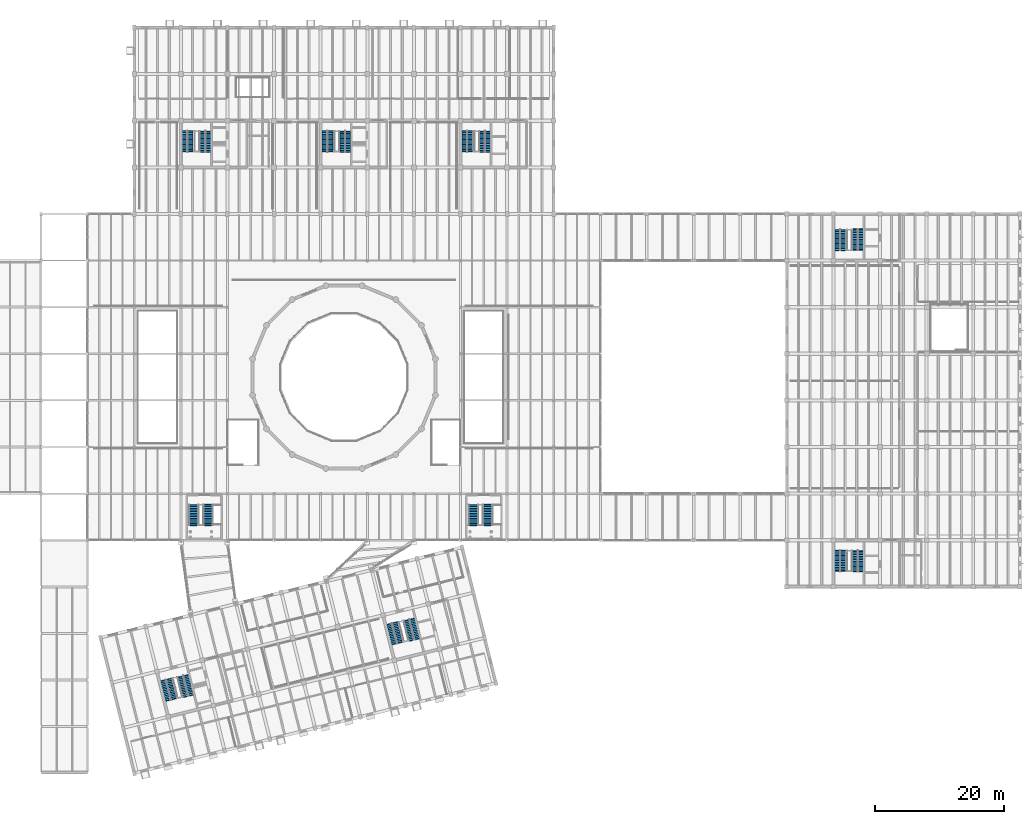
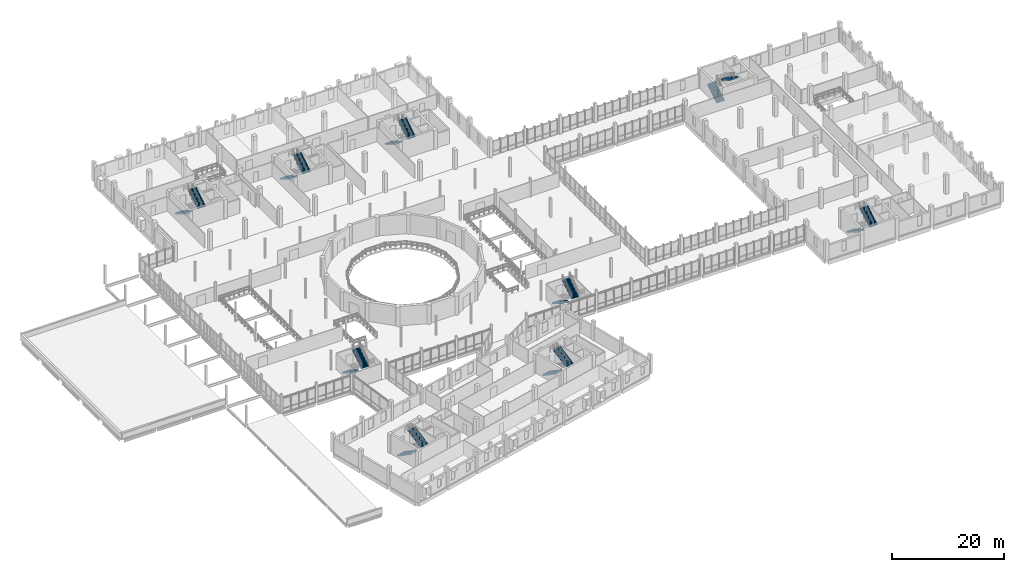
# One storey, part 66 of 72: 18 stair flights, 9 elements without a shape of their own.
"""IFC4 building model written with IfcOpenShell, lengths in metres."""

from ifc_helpers import new_model, si_unit, direction, frame, origin, place, context, subcontext, project, spatial, polyline, outline, extrude, material, type_object, element, aggregate, save


model = new_model("IFC4")

# Units and contexts
model_context = context("Model", 3, precision=1e-05, world=origin(), true_north=direction((0.0, 1.0)))
body_context = subcontext(model_context, "Body", "Model", "MODEL_VIEW")
ifc_project = project(units=[si_unit("LENGTHUNIT", "METRE"), si_unit("AREAUNIT", "SQUARE_METRE"), si_unit("VOLUMEUNIT", "CUBIC_METRE"), si_unit("PLANEANGLEUNIT", "RADIAN"), si_unit("MASSUNIT", "GRAM", prefix="KILO")], contexts=[model_context])

# Site, building, storey
site_placement = place(None, origin())
site = spatial("IfcSite", under=ifc_project, at=site_placement, CompositionType="ELEMENT")
building_placement = place(site_placement, origin())
building = spatial("IfcBuilding", under=site, at=building_placement, Name="Qiaolan Assembly House", CompositionType="ELEMENT")
storey_placement = place(building_placement, frame((0.0, 0.0, 10.199951171875)))
storey = spatial("IfcBuildingStorey", under=building, at=storey_placement, Name="L02", CompositionType="ELEMENT", Elevation=10.199951171875)

# Stair, stair flights
ifc_material = material(Name="Concrete C40/50", Category="concrete")
stair_type_1 = type_object("IfcStairType", Name="STR-FOYER-420", PredefinedType="HALF_TURN_STAIR", material=ifc_material)
stair_1_placement = place(storey_placement, origin())
stair_1 = element("IfcStair", 1, at=stair_1_placement, inside=storey, type_object=stair_type_1, Name="ST-13 Chamber Concourse Foyer Stair ST-F21", PredefinedType="HALF_TURN_STAIR")
stair_flight_type_1 = type_object("IfcStairFlightType", Name="STR-FOYER-420-FLT", PredefinedType="STRAIGHT", material=ifc_material)
stair_flight_1_placement = place(storey_placement, frame((45.199951171875, 41.449951171875, 0.0), z_axis=(0.0, 0.0, 1.0), x_axis=(0.0, -1.0, 0.0)))
stair_flight_1 = element("IfcStairFlight", 2, at=stair_flight_1_placement, type_object=stair_flight_type_1, Name="ST-13F stair flight FLT-ST-F21-1", NumberOfRisers=13, NumberOfTreads=12, PredefinedType="STRAIGHT", RiserHeight=0.161538, TreadLength=0.26, context=body_context, shape_type="SweptSolid", body=[
    extrude(outline(polyline([(-0.10009765625, -0.1201171875), (-0.10009765625, 0.0), (0.0, 0.0), (0.0, 0.16162109375), (0.260009765625, 0.16162109375), (0.260009765625, 0.322998046875), (0.52001953125, 0.322998046875), (0.52001953125, 0.484619140625), (0.780029296875, 0.484619140625), (0.780029296875, 0.646240234375), (1.0400390625, 0.646240234375), (1.0400390625, 0.8076171875), (1.300048828125, 0.8076171875), (1.300048828125, 0.96923828125), (1.56005859375, 0.96923828125), (1.56005859375, 1.130859375), (1.820068359375, 1.130859375), (1.820068359375, 1.292236328125), (2.080078125, 1.292236328125), (2.080078125, 1.453857421875), (2.340087890625, 1.453857421875), (2.340087890625, 1.615478515625), (2.60009765625, 1.615478515625), (2.60009765625, 1.77685546875), (2.860107421875, 1.77685546875), (2.860107421875, 1.9384765625), (3.1201171875, 1.9384765625), (3.1201171875, 2.10009765625), (3.240234375, 2.10009765625), (3.240234375, 1.703125), (3.1201171875, 1.703125), (0.185546875, -0.1201171875), (-0.10009765625, -0.1201171875)])), frame((0.0, 0.75, 0.0), z_axis=(0.0, -1.0, 0.0), x_axis=(1.0, 0.0, 0.0)), (0.0, 0.0, 1.0), 1.5),
])
stair_flight_2_placement = place(storey_placement, frame((47.39990234375, 38.330078125, 2.10009765625), z_axis=(0.0, 0.0, 1.0), x_axis=(0.0, 1.0, 0.0)))
stair_flight_2 = element("IfcStairFlight", 3, at=stair_flight_2_placement, type_object=stair_flight_type_1, Name="ST-13F stair flight FLT-ST-F21-2", NumberOfRisers=13, NumberOfTreads=12, PredefinedType="STRAIGHT", RiserHeight=0.161538, TreadLength=0.26, context=body_context, shape_type="SweptSolid", body=[
    extrude(outline(polyline([(-0.10009765625, -0.1201171875), (-0.10009765625, 0.0), (0.0, 0.0), (0.0, 0.16162109375), (0.260009765625, 0.16162109375), (0.260009765625, 0.322998046875), (0.52001953125, 0.322998046875), (0.52001953125, 0.484619140625), (0.780029296875, 0.484619140625), (0.780029296875, 0.646240234375), (1.0400390625, 0.646240234375), (1.0400390625, 0.8076171875), (1.300048828125, 0.8076171875), (1.300048828125, 0.96923828125), (1.56005859375, 0.96923828125), (1.56005859375, 1.130859375), (1.820068359375, 1.130859375), (1.820068359375, 1.292236328125), (2.080078125, 1.292236328125), (2.080078125, 1.453857421875), (2.340087890625, 1.453857421875), (2.340087890625, 1.615478515625), (2.60009765625, 1.615478515625), (2.60009765625, 1.77685546875), (2.860107421875, 1.77685546875), (2.860107421875, 1.9384765625), (3.1201171875, 1.9384765625), (3.1201171875, 2.10009765625), (3.240234375, 2.10009765625), (3.240234375, 1.703125), (3.1201171875, 1.703125), (0.185546875, -0.1201171875), (-0.10009765625, -0.1201171875)])), frame((0.0, 0.75, 0.0), z_axis=(0.0, -1.0, 0.0), x_axis=(1.0, 0.0, 0.0)), (0.0, 0.0, 1.0), 1.5),
])
aggregate(stair_1, [stair_flight_1, stair_flight_2])

stair_2_placement = place(storey_placement, origin())
stair_2 = element("IfcStair", 4, at=stair_2_placement, inside=storey, type_object=stair_type_1, Name="ST-13 Chamber Concourse Foyer Stair ST-F22", PredefinedType="HALF_TURN_STAIR")
stair_flight_3_placement = place(storey_placement, frame((88.39990234375, 41.449951171875, 0.0), z_axis=(0.0, 0.0, 1.0), x_axis=(0.0, -1.0, 0.0)))
stair_flight_3 = element("IfcStairFlight", 5, at=stair_flight_3_placement, type_object=stair_flight_type_1, Name="ST-13F stair flight FLT-ST-F22-1", NumberOfRisers=13, NumberOfTreads=12, PredefinedType="STRAIGHT", RiserHeight=0.161538, TreadLength=0.26, context=body_context, shape_type="SweptSolid", body=[
    extrude(outline(polyline([(-0.10009765625, -0.1201171875), (-0.10009765625, 0.0), (0.0, 0.0), (0.0, 0.16162109375), (0.260009765625, 0.16162109375), (0.260009765625, 0.322998046875), (0.52001953125, 0.322998046875), (0.52001953125, 0.484619140625), (0.780029296875, 0.484619140625), (0.780029296875, 0.646240234375), (1.0400390625, 0.646240234375), (1.0400390625, 0.8076171875), (1.300048828125, 0.8076171875), (1.300048828125, 0.96923828125), (1.56005859375, 0.96923828125), (1.56005859375, 1.130859375), (1.820068359375, 1.130859375), (1.820068359375, 1.292236328125), (2.080078125, 1.292236328125), (2.080078125, 1.453857421875), (2.340087890625, 1.453857421875), (2.340087890625, 1.615478515625), (2.60009765625, 1.615478515625), (2.60009765625, 1.77685546875), (2.860107421875, 1.77685546875), (2.860107421875, 1.9384765625), (3.1201171875, 1.9384765625), (3.1201171875, 2.10009765625), (3.240234375, 2.10009765625), (3.240234375, 1.703125), (3.1201171875, 1.703125), (0.185546875, -0.1201171875), (-0.10009765625, -0.1201171875)])), frame((0.0, 0.75, 0.0), z_axis=(0.0, -1.0, 0.0), x_axis=(1.0, 0.0, 0.0)), (0.0, 0.0, 1.0), 1.5),
])
stair_flight_4_placement = place(storey_placement, frame((90.60009765625, 38.330078125, 2.10009765625), z_axis=(0.0, 0.0, 1.0), x_axis=(0.0, 1.0, 0.0)))
stair_flight_4 = element("IfcStairFlight", 6, at=stair_flight_4_placement, type_object=stair_flight_type_1, Name="ST-13F stair flight FLT-ST-F22-2", NumberOfRisers=13, NumberOfTreads=12, PredefinedType="STRAIGHT", RiserHeight=0.161538, TreadLength=0.26, context=body_context, shape_type="SweptSolid", body=[
    extrude(outline(polyline([(-0.10009765625, -0.1201171875), (-0.10009765625, 0.0), (0.0, 0.0), (0.0, 0.16162109375), (0.260009765625, 0.16162109375), (0.260009765625, 0.322998046875), (0.52001953125, 0.322998046875), (0.52001953125, 0.484619140625), (0.780029296875, 0.484619140625), (0.780029296875, 0.646240234375), (1.0400390625, 0.646240234375), (1.0400390625, 0.8076171875), (1.300048828125, 0.8076171875), (1.300048828125, 0.96923828125), (1.56005859375, 0.96923828125), (1.56005859375, 1.130859375), (1.820068359375, 1.130859375), (1.820068359375, 1.292236328125), (2.080078125, 1.292236328125), (2.080078125, 1.453857421875), (2.340087890625, 1.453857421875), (2.340087890625, 1.615478515625), (2.60009765625, 1.615478515625), (2.60009765625, 1.77685546875), (2.860107421875, 1.77685546875), (2.860107421875, 1.9384765625), (3.1201171875, 1.9384765625), (3.1201171875, 2.10009765625), (3.240234375, 2.10009765625), (3.240234375, 1.703125), (3.1201171875, 1.703125), (0.185546875, -0.1201171875), (-0.10009765625, -0.1201171875)])), frame((0.0, 0.75, 0.0), z_axis=(0.0, -1.0, 0.0), x_axis=(1.0, 0.0, 0.0)), (0.0, 0.0, 1.0), 1.5),
])
aggregate(stair_2, [stair_flight_3, stair_flight_4])

stair_type_2 = type_object("IfcStairType", Name="STR-LIB-420", PredefinedType="HALF_TURN_STAIR", material=ifc_material)
stair_3_placement = place(storey_placement, origin())
stair_3 = element("IfcStair", 7, at=stair_3_placement, inside=storey, type_object=stair_type_2, Name="ST-06 enclosed egress stair CORE-E L02", PredefinedType="HALF_TURN_STAIR")
stair_flight_type_2 = type_object("IfcStairFlightType", Name="STR-LIB-420-FLT", PredefinedType="STRAIGHT", material=ifc_material)
stair_flight_5_placement = place(storey_placement, frame((145.050048828125, 34.409912109375, 0.0), z_axis=(0.0, 0.0, 1.0), x_axis=(0.0, -1.0, 0.0)))
stair_flight_5 = element("IfcStairFlight", 8, at=stair_flight_5_placement, type_object=stair_flight_type_2, Name="ST-06F stair flight FLT-CORE-E-L02-1", NumberOfRisers=13, NumberOfTreads=12, PredefinedType="STRAIGHT", RiserHeight=0.161538, TreadLength=0.26, context=body_context, shape_type="SweptSolid", body=[
    extrude(outline(polyline([(-0.10009765625, -0.1201171875), (-0.10009765625, 0.0), (0.0, 0.0), (0.0, 0.16162109375), (0.260009765625, 0.16162109375), (0.260009765625, 0.322998046875), (0.52001953125, 0.322998046875), (0.52001953125, 0.484619140625), (0.780029296875, 0.484619140625), (0.780029296875, 0.646240234375), (1.0400390625, 0.646240234375), (1.0400390625, 0.8076171875), (1.300048828125, 0.8076171875), (1.300048828125, 0.96923828125), (1.56005859375, 0.96923828125), (1.56005859375, 1.130859375), (1.820068359375, 1.130859375), (1.820068359375, 1.292236328125), (2.080078125, 1.292236328125), (2.080078125, 1.453857421875), (2.340087890625, 1.453857421875), (2.340087890625, 1.615478515625), (2.60009765625, 1.615478515625), (2.60009765625, 1.77685546875), (2.860107421875, 1.77685546875), (2.860107421875, 1.9384765625), (3.1201171875, 1.9384765625), (3.1201171875, 2.10009765625), (3.240234375, 2.10009765625), (3.240234375, 1.703125), (3.1201171875, 1.703125), (0.185546875, -0.1201171875), (-0.10009765625, -0.1201171875)])), frame((0.0, 0.83984375, 0.0), z_axis=(0.0, -1.0, 0.0), x_axis=(1.0, 0.0, 0.0)), (0.0, 0.0, 1.0), 1.679931640625),
])
stair_flight_6_placement = place(storey_placement, frame((147.800048828125, 31.169921875, 2.10009765625), z_axis=(0.0, 0.0, 1.0), x_axis=(0.0, 1.0, 0.0)))
stair_flight_6 = element("IfcStairFlight", 9, at=stair_flight_6_placement, type_object=stair_flight_type_2, Name="ST-06F stair flight FLT-CORE-E-L02-2", NumberOfRisers=13, NumberOfTreads=12, PredefinedType="STRAIGHT", RiserHeight=0.161538, TreadLength=0.26, context=body_context, shape_type="SweptSolid", body=[
    extrude(outline(polyline([(-0.10009765625, -0.1201171875), (-0.10009765625, 0.0), (0.0, 0.0), (0.0, 0.16162109375), (0.260009765625, 0.16162109375), (0.260009765625, 0.322998046875), (0.52001953125, 0.322998046875), (0.52001953125, 0.484619140625), (0.780029296875, 0.484619140625), (0.780029296875, 0.646240234375), (1.0400390625, 0.646240234375), (1.0400390625, 0.8076171875), (1.300048828125, 0.8076171875), (1.300048828125, 0.96923828125), (1.56005859375, 0.96923828125), (1.56005859375, 1.130859375), (1.820068359375, 1.130859375), (1.820068359375, 1.292236328125), (2.080078125, 1.292236328125), (2.080078125, 1.453857421875), (2.340087890625, 1.453857421875), (2.340087890625, 1.615478515625), (2.60009765625, 1.615478515625), (2.60009765625, 1.77685546875), (2.860107421875, 1.77685546875), (2.860107421875, 1.9384765625), (3.1201171875, 1.9384765625), (3.1201171875, 2.10009765625), (3.240234375, 2.10009765625), (3.240234375, 1.703125), (3.1201171875, 1.703125), (0.185546875, -0.1201171875), (-0.10009765625, -0.1201171875)])), frame((0.0, 0.83984375, 0.0), z_axis=(0.0, -1.0, 0.0), x_axis=(1.0, 0.0, 0.0)), (0.0, 0.0, 1.0), 1.679931640625),
])
aggregate(stair_3, [stair_flight_5, stair_flight_6])

stair_4_placement = place(storey_placement, origin())
stair_4 = element("IfcStair", 10, at=stair_4_placement, inside=storey, type_object=stair_type_2, Name="ST-06 enclosed egress stair CORE-F L02", PredefinedType="HALF_TURN_STAIR")
stair_flight_7_placement = place(storey_placement, frame((145.050048828125, 80.7900390625, 0.0), z_axis=(0.0, 0.0, 1.0), x_axis=(0.0, 1.0, 0.0)))
stair_flight_7 = element("IfcStairFlight", 11, at=stair_flight_7_placement, type_object=stair_flight_type_2, Name="ST-06F stair flight FLT-CORE-F-L02-1", NumberOfRisers=13, NumberOfTreads=12, PredefinedType="STRAIGHT", RiserHeight=0.161538, TreadLength=0.26, context=body_context, shape_type="SweptSolid", body=[
    extrude(outline(polyline([(-0.10009765625, -0.1201171875), (-0.10009765625, 0.0), (0.0, 0.0), (0.0, 0.16162109375), (0.260009765625, 0.16162109375), (0.260009765625, 0.322998046875), (0.52001953125, 0.322998046875), (0.52001953125, 0.484619140625), (0.780029296875, 0.484619140625), (0.780029296875, 0.646240234375), (1.0400390625, 0.646240234375), (1.0400390625, 0.8076171875), (1.300048828125, 0.8076171875), (1.300048828125, 0.96923828125), (1.56005859375, 0.96923828125), (1.56005859375, 1.130859375), (1.820068359375, 1.130859375), (1.820068359375, 1.292236328125), (2.080078125, 1.292236328125), (2.080078125, 1.453857421875), (2.340087890625, 1.453857421875), (2.340087890625, 1.615478515625), (2.60009765625, 1.615478515625), (2.60009765625, 1.77685546875), (2.860107421875, 1.77685546875), (2.860107421875, 1.9384765625), (3.1201171875, 1.9384765625), (3.1201171875, 2.10009765625), (3.240234375, 2.10009765625), (3.240234375, 1.703125), (3.1201171875, 1.703125), (0.185546875, -0.1201171875), (-0.10009765625, -0.1201171875)])), frame((0.0, 0.83984375, 0.0), z_axis=(0.0, -1.0, 0.0), x_axis=(1.0, 0.0, 0.0)), (0.0, 0.0, 1.0), 1.679931640625),
])
stair_flight_8_placement = place(storey_placement, frame((147.800048828125, 84.030029296875, 2.10009765625), z_axis=(0.0, 0.0, 1.0), x_axis=(0.0, -1.0, 0.0)))
stair_flight_8 = element("IfcStairFlight", 12, at=stair_flight_8_placement, type_object=stair_flight_type_2, Name="ST-06F stair flight FLT-CORE-F-L02-2", NumberOfRisers=13, NumberOfTreads=12, PredefinedType="STRAIGHT", RiserHeight=0.161538, TreadLength=0.26, context=body_context, shape_type="SweptSolid", body=[
    extrude(outline(polyline([(-0.10009765625, -0.1201171875), (-0.10009765625, 0.0), (0.0, 0.0), (0.0, 0.16162109375), (0.260009765625, 0.16162109375), (0.260009765625, 0.322998046875), (0.52001953125, 0.322998046875), (0.52001953125, 0.484619140625), (0.780029296875, 0.484619140625), (0.780029296875, 0.646240234375), (1.0400390625, 0.646240234375), (1.0400390625, 0.8076171875), (1.300048828125, 0.8076171875), (1.300048828125, 0.96923828125), (1.56005859375, 0.96923828125), (1.56005859375, 1.130859375), (1.820068359375, 1.130859375), (1.820068359375, 1.292236328125), (2.080078125, 1.292236328125), (2.080078125, 1.453857421875), (2.340087890625, 1.453857421875), (2.340087890625, 1.615478515625), (2.60009765625, 1.615478515625), (2.60009765625, 1.77685546875), (2.860107421875, 1.77685546875), (2.860107421875, 1.9384765625), (3.1201171875, 1.9384765625), (3.1201171875, 2.10009765625), (3.240234375, 2.10009765625), (3.240234375, 1.703125), (3.1201171875, 1.703125), (0.185546875, -0.1201171875), (-0.10009765625, -0.1201171875)])), frame((0.0, 0.83984375, 0.0), z_axis=(0.0, -1.0, 0.0), x_axis=(1.0, 0.0, 0.0)), (0.0, 0.0, 1.0), 1.679931640625),
])
aggregate(stair_4, [stair_flight_7, stair_flight_8])

stair_type_3 = type_object("IfcStairType", Name="STR-STD-420", PredefinedType="HALF_TURN_STAIR", material=ifc_material)
stair_5_placement = place(storey_placement, origin())
stair_5 = element("IfcStair", 13, at=stair_5_placement, inside=storey, type_object=stair_type_3, Name="ST-05 enclosed egress stair CORE-A L02", PredefinedType="HALF_TURN_STAIR")
stair_flight_type_3 = type_object("IfcStairFlightType", Name="STR-STD-420-FLT", PredefinedType="STRAIGHT", material=ifc_material)
stair_flight_9_placement = place(storey_placement, frame((44.25, 99.2099609375, 0.0), z_axis=(0.0, 0.0, 1.0), x_axis=(0.0, -1.0, 0.0)))
stair_flight_9 = element("IfcStairFlight", 14, at=stair_flight_9_placement, type_object=stair_flight_type_3, Name="ST-05F stair flight FLT-CORE-A-L02-1", NumberOfRisers=13, NumberOfTreads=12, PredefinedType="STRAIGHT", RiserHeight=0.161538, TreadLength=0.26, context=body_context, shape_type="SweptSolid", body=[
    extrude(outline(polyline([(-0.10009765625, -0.1201171875), (-0.10009765625, 0.0), (0.0, 0.0), (0.0, 0.16162109375), (0.260009765625, 0.16162109375), (0.260009765625, 0.322998046875), (0.52001953125, 0.322998046875), (0.52001953125, 0.484619140625), (0.780029296875, 0.484619140625), (0.780029296875, 0.646240234375), (1.0400390625, 0.646240234375), (1.0400390625, 0.8076171875), (1.300048828125, 0.8076171875), (1.300048828125, 0.96923828125), (1.56005859375, 0.96923828125), (1.56005859375, 1.130859375), (1.820068359375, 1.130859375), (1.820068359375, 1.292236328125), (2.080078125, 1.292236328125), (2.080078125, 1.453857421875), (2.340087890625, 1.453857421875), (2.340087890625, 1.615478515625), (2.60009765625, 1.615478515625), (2.60009765625, 1.77685546875), (2.860107421875, 1.77685546875), (2.860107421875, 1.9384765625), (3.1201171875, 1.9384765625), (3.1201171875, 2.10009765625), (3.240234375, 2.10009765625), (3.240234375, 1.703125), (3.1201171875, 1.703125), (0.185546875, -0.1201171875), (-0.10009765625, -0.1201171875)])), frame((0.0, 0.83984375, 0.0), z_axis=(0.0, -1.0, 0.0), x_axis=(1.0, 0.0, 0.0)), (0.0, 0.0, 1.0), 1.679931640625),
])
stair_flight_10_placement = place(storey_placement, frame((47.0, 95.969970703125, 2.10009765625), z_axis=(0.0, 0.0, 1.0), x_axis=(0.0, 1.0, 0.0)))
stair_flight_10 = element("IfcStairFlight", 15, at=stair_flight_10_placement, type_object=stair_flight_type_3, Name="ST-05F stair flight FLT-CORE-A-L02-2", NumberOfRisers=13, NumberOfTreads=12, PredefinedType="STRAIGHT", RiserHeight=0.161538, TreadLength=0.26, context=body_context, shape_type="SweptSolid", body=[
    extrude(outline(polyline([(-0.10009765625, -0.1201171875), (-0.10009765625, 0.0), (0.0, 0.0), (0.0, 0.16162109375), (0.260009765625, 0.16162109375), (0.260009765625, 0.322998046875), (0.52001953125, 0.322998046875), (0.52001953125, 0.484619140625), (0.780029296875, 0.484619140625), (0.780029296875, 0.646240234375), (1.0400390625, 0.646240234375), (1.0400390625, 0.8076171875), (1.300048828125, 0.8076171875), (1.300048828125, 0.96923828125), (1.56005859375, 0.96923828125), (1.56005859375, 1.130859375), (1.820068359375, 1.130859375), (1.820068359375, 1.292236328125), (2.080078125, 1.292236328125), (2.080078125, 1.453857421875), (2.340087890625, 1.453857421875), (2.340087890625, 1.615478515625), (2.60009765625, 1.615478515625), (2.60009765625, 1.77685546875), (2.860107421875, 1.77685546875), (2.860107421875, 1.9384765625), (3.1201171875, 1.9384765625), (3.1201171875, 2.10009765625), (3.240234375, 2.10009765625), (3.240234375, 1.703125), (3.1201171875, 1.703125), (0.185546875, -0.1201171875), (-0.10009765625, -0.1201171875)])), frame((0.0, 0.83984375, 0.0), z_axis=(0.0, -1.0, 0.0), x_axis=(1.0, 0.0, 0.0)), (0.0, 0.0, 1.0), 1.679931640625),
])
aggregate(stair_5, [stair_flight_9, stair_flight_10])

stair_6_placement = place(storey_placement, origin())
stair_6 = element("IfcStair", 16, at=stair_6_placement, inside=storey, type_object=stair_type_3, Name="ST-05 enclosed egress stair CORE-B L02", PredefinedType="HALF_TURN_STAIR")
stair_flight_11_placement = place(storey_placement, frame((65.85009765625, 99.2099609375, 0.0), z_axis=(0.0, 0.0, 1.0), x_axis=(0.0, -1.0, 0.0)))
stair_flight_11 = element("IfcStairFlight", 17, at=stair_flight_11_placement, type_object=stair_flight_type_3, Name="ST-05F stair flight FLT-CORE-B-L02-1", NumberOfRisers=13, NumberOfTreads=12, PredefinedType="STRAIGHT", RiserHeight=0.161538, TreadLength=0.26, context=body_context, shape_type="SweptSolid", body=[
    extrude(outline(polyline([(-0.10009765625, -0.1201171875), (-0.10009765625, 0.0), (0.0, 0.0), (0.0, 0.16162109375), (0.260009765625, 0.16162109375), (0.260009765625, 0.322998046875), (0.52001953125, 0.322998046875), (0.52001953125, 0.484619140625), (0.780029296875, 0.484619140625), (0.780029296875, 0.646240234375), (1.0400390625, 0.646240234375), (1.0400390625, 0.8076171875), (1.300048828125, 0.8076171875), (1.300048828125, 0.96923828125), (1.56005859375, 0.96923828125), (1.56005859375, 1.130859375), (1.820068359375, 1.130859375), (1.820068359375, 1.292236328125), (2.080078125, 1.292236328125), (2.080078125, 1.453857421875), (2.340087890625, 1.453857421875), (2.340087890625, 1.615478515625), (2.60009765625, 1.615478515625), (2.60009765625, 1.77685546875), (2.860107421875, 1.77685546875), (2.860107421875, 1.9384765625), (3.1201171875, 1.9384765625), (3.1201171875, 2.10009765625), (3.240234375, 2.10009765625), (3.240234375, 1.703125), (3.1201171875, 1.703125), (0.185546875, -0.1201171875), (-0.10009765625, -0.1201171875)])), frame((0.0, 0.83984375, 0.0), z_axis=(0.0, -1.0, 0.0), x_axis=(1.0, 0.0, 0.0)), (0.0, 0.0, 1.0), 1.679931640625),
])
stair_flight_12_placement = place(storey_placement, frame((68.60009765625, 95.969970703125, 2.10009765625), z_axis=(0.0, 0.0, 1.0), x_axis=(0.0, 1.0, 0.0)))
stair_flight_12 = element("IfcStairFlight", 18, at=stair_flight_12_placement, type_object=stair_flight_type_3, Name="ST-05F stair flight FLT-CORE-B-L02-2", NumberOfRisers=13, NumberOfTreads=12, PredefinedType="STRAIGHT", RiserHeight=0.161538, TreadLength=0.26, context=body_context, shape_type="SweptSolid", body=[
    extrude(outline(polyline([(-0.10009765625, -0.1201171875), (-0.10009765625, 0.0), (0.0, 0.0), (0.0, 0.16162109375), (0.260009765625, 0.16162109375), (0.260009765625, 0.322998046875), (0.52001953125, 0.322998046875), (0.52001953125, 0.484619140625), (0.780029296875, 0.484619140625), (0.780029296875, 0.646240234375), (1.0400390625, 0.646240234375), (1.0400390625, 0.8076171875), (1.300048828125, 0.8076171875), (1.300048828125, 0.96923828125), (1.56005859375, 0.96923828125), (1.56005859375, 1.130859375), (1.820068359375, 1.130859375), (1.820068359375, 1.292236328125), (2.080078125, 1.292236328125), (2.080078125, 1.453857421875), (2.340087890625, 1.453857421875), (2.340087890625, 1.615478515625), (2.60009765625, 1.615478515625), (2.60009765625, 1.77685546875), (2.860107421875, 1.77685546875), (2.860107421875, 1.9384765625), (3.1201171875, 1.9384765625), (3.1201171875, 2.10009765625), (3.240234375, 2.10009765625), (3.240234375, 1.703125), (3.1201171875, 1.703125), (0.185546875, -0.1201171875), (-0.10009765625, -0.1201171875)])), frame((0.0, 0.83984375, 0.0), z_axis=(0.0, -1.0, 0.0), x_axis=(1.0, 0.0, 0.0)), (0.0, 0.0, 1.0), 1.679931640625),
])
aggregate(stair_6, [stair_flight_11, stair_flight_12])

stair_7_placement = place(storey_placement, origin())
stair_7 = element("IfcStair", 19, at=stair_7_placement, inside=storey, type_object=stair_type_3, Name="ST-05 enclosed egress stair CORE-G L02", PredefinedType="HALF_TURN_STAIR")
stair_flight_13_placement = place(storey_placement, frame((87.449951171875, 99.2099609375, 0.0), z_axis=(0.0, 0.0, 1.0), x_axis=(0.0, -1.0, 0.0)))
stair_flight_13 = element("IfcStairFlight", 20, at=stair_flight_13_placement, type_object=stair_flight_type_3, Name="ST-05F stair flight FLT-CORE-G-L02-1", NumberOfRisers=13, NumberOfTreads=12, PredefinedType="STRAIGHT", RiserHeight=0.161538, TreadLength=0.26, context=body_context, shape_type="SweptSolid", body=[
    extrude(outline(polyline([(-0.10009765625, -0.1201171875), (-0.10009765625, 0.0), (0.0, 0.0), (0.0, 0.16162109375), (0.260009765625, 0.16162109375), (0.260009765625, 0.322998046875), (0.52001953125, 0.322998046875), (0.52001953125, 0.484619140625), (0.780029296875, 0.484619140625), (0.780029296875, 0.646240234375), (1.0400390625, 0.646240234375), (1.0400390625, 0.8076171875), (1.300048828125, 0.8076171875), (1.300048828125, 0.96923828125), (1.56005859375, 0.96923828125), (1.56005859375, 1.130859375), (1.820068359375, 1.130859375), (1.820068359375, 1.292236328125), (2.080078125, 1.292236328125), (2.080078125, 1.453857421875), (2.340087890625, 1.453857421875), (2.340087890625, 1.615478515625), (2.60009765625, 1.615478515625), (2.60009765625, 1.77685546875), (2.860107421875, 1.77685546875), (2.860107421875, 1.9384765625), (3.1201171875, 1.9384765625), (3.1201171875, 2.10009765625), (3.240234375, 2.10009765625), (3.240234375, 1.703125), (3.1201171875, 1.703125), (0.185546875, -0.1201171875), (-0.10009765625, -0.1201171875)])), frame((0.0, 0.83984375, 0.0), z_axis=(0.0, -1.0, 0.0), x_axis=(1.0, 0.0, 0.0)), (0.0, 0.0, 1.0), 1.679931640625),
])
stair_flight_14_placement = place(storey_placement, frame((90.199951171875, 95.969970703125, 2.10009765625), z_axis=(0.0, 0.0, 1.0), x_axis=(0.0, 1.0, 0.0)))
stair_flight_14 = element("IfcStairFlight", 21, at=stair_flight_14_placement, type_object=stair_flight_type_3, Name="ST-05F stair flight FLT-CORE-G-L02-2", NumberOfRisers=13, NumberOfTreads=12, PredefinedType="STRAIGHT", RiserHeight=0.161538, TreadLength=0.26, context=body_context, shape_type="SweptSolid", body=[
    extrude(outline(polyline([(-0.10009765625, -0.1201171875), (-0.10009765625, 0.0), (0.0, 0.0), (0.0, 0.16162109375), (0.260009765625, 0.16162109375), (0.260009765625, 0.322998046875), (0.52001953125, 0.322998046875), (0.52001953125, 0.484619140625), (0.780029296875, 0.484619140625), (0.780029296875, 0.646240234375), (1.0400390625, 0.646240234375), (1.0400390625, 0.8076171875), (1.300048828125, 0.8076171875), (1.300048828125, 0.96923828125), (1.56005859375, 0.96923828125), (1.56005859375, 1.130859375), (1.820068359375, 1.130859375), (1.820068359375, 1.292236328125), (2.080078125, 1.292236328125), (2.080078125, 1.453857421875), (2.340087890625, 1.453857421875), (2.340087890625, 1.615478515625), (2.60009765625, 1.615478515625), (2.60009765625, 1.77685546875), (2.860107421875, 1.77685546875), (2.860107421875, 1.9384765625), (3.1201171875, 1.9384765625), (3.1201171875, 2.10009765625), (3.240234375, 2.10009765625), (3.240234375, 1.703125), (3.1201171875, 1.703125), (0.185546875, -0.1201171875), (-0.10009765625, -0.1201171875)])), frame((0.0, 0.83984375, 0.0), z_axis=(0.0, -1.0, 0.0), x_axis=(1.0, 0.0, 0.0)), (0.0, 0.0, 1.0), 1.679931640625),
])
aggregate(stair_7, [stair_flight_13, stair_flight_14])

stair_8_placement = place(storey_placement, origin())
stair_8 = element("IfcStair", 22, at=stair_8_placement, inside=storey, type_object=stair_type_3, Name="ST-05 enclosed egress stair CORE-C L02", PredefinedType="HALF_TURN_STAIR")
stair_flight_15_placement = place(storey_placement, frame((40.906005859375, 14.42529296875, 0.0), z_axis=(0.0, 0.0, 1.0), x_axis=(0.241921929469, -0.970295717831, 0.0)))
stair_flight_15 = element("IfcStairFlight", 23, at=stair_flight_15_placement, type_object=stair_flight_type_3, Name="ST-05F stair flight FLT-CORE-C-L02-1", NumberOfRisers=13, NumberOfTreads=12, PredefinedType="STRAIGHT", RiserHeight=0.161538, TreadLength=0.26, context=body_context, shape_type="SweptSolid", body=[
    extrude(outline(polyline([(-0.10009765625, -0.1201171875), (-0.10009765625, 0.0), (0.0, 0.0), (0.0, 0.16162109375), (0.260009765625, 0.16162109375), (0.260009765625, 0.322998046875), (0.52001953125, 0.322998046875), (0.52001953125, 0.484619140625), (0.780029296875, 0.484619140625), (0.780029296875, 0.646240234375), (1.0400390625, 0.646240234375), (1.0400390625, 0.8076171875), (1.300048828125, 0.8076171875), (1.300048828125, 0.96923828125), (1.56005859375, 0.96923828125), (1.56005859375, 1.130859375), (1.820068359375, 1.130859375), (1.820068359375, 1.292236328125), (2.080078125, 1.292236328125), (2.080078125, 1.453857421875), (2.340087890625, 1.453857421875), (2.340087890625, 1.615478515625), (2.60009765625, 1.615478515625), (2.60009765625, 1.77685546875), (2.860107421875, 1.77685546875), (2.860107421875, 1.9384765625), (3.1201171875, 1.9384765625), (3.1201171875, 2.10009765625), (3.240234375, 2.10009765625), (3.240234375, 1.703125), (3.1201171875, 1.703125), (0.185546875, -0.1201171875), (-0.10009765625, -0.1201171875)])), frame((0.0, 0.83984375, 0.0), z_axis=(0.0, -1.0, 0.0), x_axis=(1.0, 0.0, 0.0)), (0.0, 0.0, 1.0), 1.679931640625),
])
stair_flight_16_placement = place(storey_placement, frame((44.358154296875, 11.94677734375, 2.10009765625), z_axis=(0.0, 0.0, 1.0), x_axis=(-0.241921624642, 0.970295793833, 0.0)))
stair_flight_16 = element("IfcStairFlight", 24, at=stair_flight_16_placement, type_object=stair_flight_type_3, Name="ST-05F stair flight FLT-CORE-C-L02-2", NumberOfRisers=13, NumberOfTreads=12, PredefinedType="STRAIGHT", RiserHeight=0.161538, TreadLength=0.26, context=body_context, shape_type="SweptSolid", body=[
    extrude(outline(polyline([(-0.10009765625, -0.1201171875), (-0.10009765625, 0.0), (0.0, 0.0), (0.0, 0.16162109375), (0.260009765625, 0.16162109375), (0.260009765625, 0.322998046875), (0.52001953125, 0.322998046875), (0.52001953125, 0.484619140625), (0.780029296875, 0.484619140625), (0.780029296875, 0.646240234375), (1.0400390625, 0.646240234375), (1.0400390625, 0.8076171875), (1.300048828125, 0.8076171875), (1.300048828125, 0.96923828125), (1.56005859375, 0.96923828125), (1.56005859375, 1.130859375), (1.820068359375, 1.130859375), (1.820068359375, 1.292236328125), (2.080078125, 1.292236328125), (2.080078125, 1.453857421875), (2.340087890625, 1.453857421875), (2.340087890625, 1.615478515625), (2.60009765625, 1.615478515625), (2.60009765625, 1.77685546875), (2.860107421875, 1.77685546875), (2.860107421875, 1.9384765625), (3.1201171875, 1.9384765625), (3.1201171875, 2.10009765625), (3.240234375, 2.10009765625), (3.240234375, 1.703125), (3.1201171875, 1.703125), (0.185546875, -0.1201171875), (-0.10009765625, -0.1201171875)])), frame((0.0, 0.83984375, 0.0), z_axis=(0.0, -1.0, 0.0), x_axis=(1.0, 0.0, 0.0)), (0.0, 0.0, 1.0), 1.679931640625),
])
aggregate(stair_8, [stair_flight_15, stair_flight_16])

stair_9_placement = place(storey_placement, origin())
stair_9 = element("IfcStair", 25, at=stair_9_placement, inside=storey, type_object=stair_type_3, Name="ST-05 enclosed egress stair CORE-D L02", PredefinedType="HALF_TURN_STAIR")
stair_flight_17_placement = place(storey_placement, frame((75.836669921875, 23.134521484375, 0.0), z_axis=(0.0, 0.0, 1.0), x_axis=(0.241921929469, -0.970295717831, 0.0)))
stair_flight_17 = element("IfcStairFlight", 26, at=stair_flight_17_placement, type_object=stair_flight_type_3, Name="ST-05F stair flight FLT-CORE-D-L02-1", NumberOfRisers=13, NumberOfTreads=12, PredefinedType="STRAIGHT", RiserHeight=0.161538, TreadLength=0.26, context=body_context, shape_type="SweptSolid", body=[
    extrude(outline(polyline([(-0.10009765625, -0.1201171875), (-0.10009765625, 0.0), (0.0, 0.0), (0.0, 0.16162109375), (0.260009765625, 0.16162109375), (0.260009765625, 0.322998046875), (0.52001953125, 0.322998046875), (0.52001953125, 0.484619140625), (0.780029296875, 0.484619140625), (0.780029296875, 0.646240234375), (1.0400390625, 0.646240234375), (1.0400390625, 0.8076171875), (1.300048828125, 0.8076171875), (1.300048828125, 0.96923828125), (1.56005859375, 0.96923828125), (1.56005859375, 1.130859375), (1.820068359375, 1.130859375), (1.820068359375, 1.292236328125), (2.080078125, 1.292236328125), (2.080078125, 1.453857421875), (2.340087890625, 1.453857421875), (2.340087890625, 1.615478515625), (2.60009765625, 1.615478515625), (2.60009765625, 1.77685546875), (2.860107421875, 1.77685546875), (2.860107421875, 1.9384765625), (3.1201171875, 1.9384765625), (3.1201171875, 2.10009765625), (3.240234375, 2.10009765625), (3.240234375, 1.703125), (3.1201171875, 1.703125), (0.185546875, -0.1201171875), (-0.10009765625, -0.1201171875)])), frame((0.0, 0.83984375, 0.0), z_axis=(0.0, -1.0, 0.0), x_axis=(1.0, 0.0, 0.0)), (0.0, 0.0, 1.0), 1.679931640625),
])
stair_flight_18_placement = place(storey_placement, frame((79.288818359375, 20.656005859375, 2.10009765625), z_axis=(0.0, 0.0, 1.0), x_axis=(-0.241921929469, 0.970295717831, 0.0)))
stair_flight_18 = element("IfcStairFlight", 27, at=stair_flight_18_placement, type_object=stair_flight_type_3, Name="ST-05F stair flight FLT-CORE-D-L02-2", NumberOfRisers=13, NumberOfTreads=12, PredefinedType="STRAIGHT", RiserHeight=0.161538, TreadLength=0.26, context=body_context, shape_type="SweptSolid", body=[
    extrude(outline(polyline([(-0.10009765625, -0.1201171875), (-0.10009765625, 0.0), (0.0, 0.0), (0.0, 0.16162109375), (0.260009765625, 0.16162109375), (0.260009765625, 0.322998046875), (0.52001953125, 0.322998046875), (0.52001953125, 0.484619140625), (0.780029296875, 0.484619140625), (0.780029296875, 0.646240234375), (1.0400390625, 0.646240234375), (1.0400390625, 0.8076171875), (1.300048828125, 0.8076171875), (1.300048828125, 0.96923828125), (1.56005859375, 0.96923828125), (1.56005859375, 1.130859375), (1.820068359375, 1.130859375), (1.820068359375, 1.292236328125), (2.080078125, 1.292236328125), (2.080078125, 1.453857421875), (2.340087890625, 1.453857421875), (2.340087890625, 1.615478515625), (2.60009765625, 1.615478515625), (2.60009765625, 1.77685546875), (2.860107421875, 1.77685546875), (2.860107421875, 1.9384765625), (3.1201171875, 1.9384765625), (3.1201171875, 2.10009765625), (3.240234375, 2.10009765625), (3.240234375, 1.703125), (3.1201171875, 1.703125), (0.185546875, -0.1201171875), (-0.10009765625, -0.1201171875)])), frame((0.0, 0.83984375, 0.0), z_axis=(0.0, -1.0, 0.0), x_axis=(1.0, 0.0, 0.0)), (0.0, 0.0, 1.0), 1.679931640625),
])
aggregate(stair_9, [stair_flight_17, stair_flight_18])

save(model, "model.ifc")
